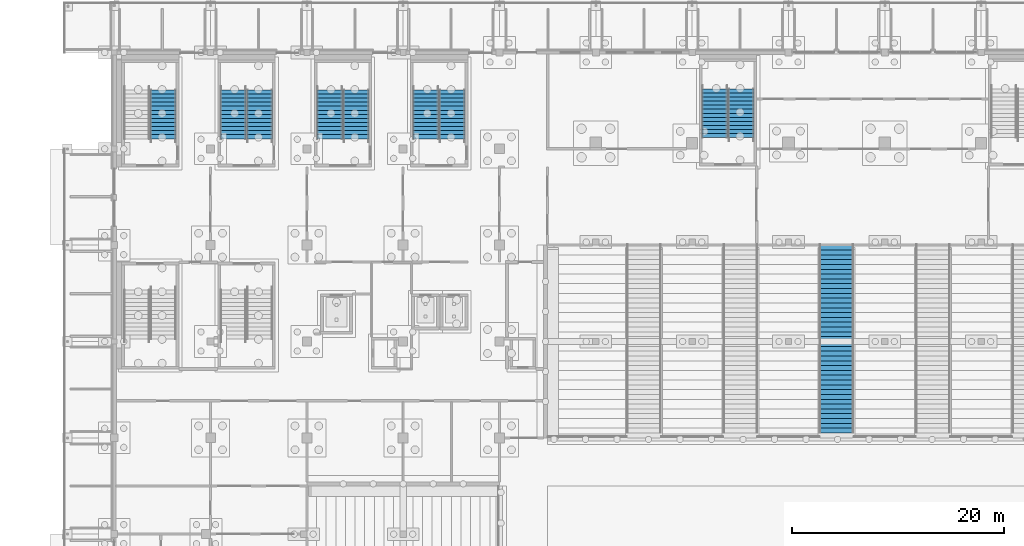
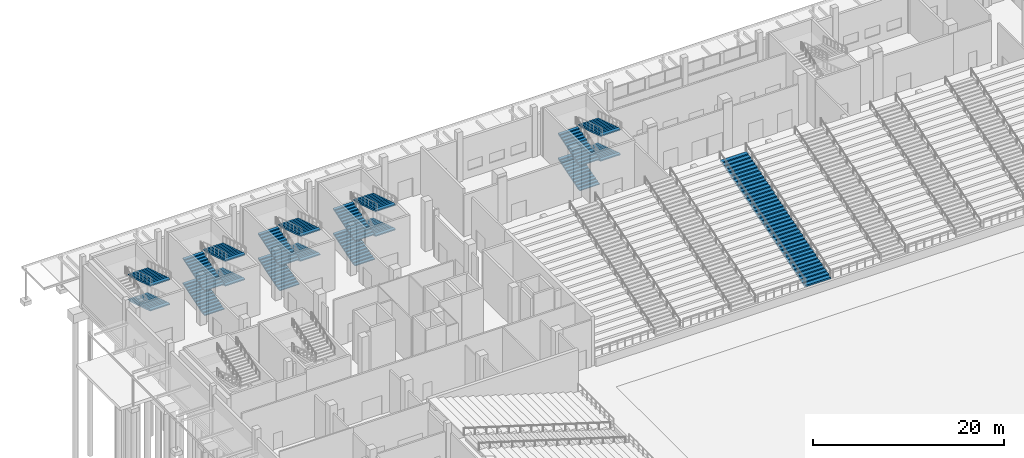
# One storey, part 91 of 129: 19 stair flights, 6 elements without a shape of their own.
"""IFC4 building model written with IfcOpenShell, lengths in metres."""

from ifc_helpers import new_model, si_unit, direction, frame, origin, place, context, subcontext, project, spatial, polyline, outline, extrude, material, type_object, element, aggregate, save


model = new_model("IFC4")

# Units and contexts
model_context = context("Model", 3, precision=1e-05, world=origin(), true_north=direction((0.0, 1.0)))
body_context = subcontext(model_context, "Body", "Model", "MODEL_VIEW")
ifc_project = project(units=[si_unit("LENGTHUNIT", "METRE"), si_unit("AREAUNIT", "SQUARE_METRE"), si_unit("VOLUMEUNIT", "CUBIC_METRE"), si_unit("PLANEANGLEUNIT", "RADIAN"), si_unit("MASSUNIT", "GRAM", prefix="KILO")], contexts=[model_context])

# Site, building, storey
site_placement = place(None, origin())
site = spatial("IfcSite", under=ifc_project, at=site_placement, CompositionType="ELEMENT")
building_placement = place(site_placement, origin())
building = spatial("IfcBuilding", under=site, at=building_placement, Name="Shirokan Park Arena", CompositionType="ELEMENT")
storey_placement = place(building_placement, origin())
storey = spatial("IfcBuildingStorey", under=building, at=storey_placement, Name="L00", CompositionType="ELEMENT", Elevation=0.0)

# Stair, stair flights
ifc_material = material(Name="Concrete C30 precast", Category="concrete")
stair_type_1 = type_object("IfcStairType", Name="Stair 52 risers 122 x 385 2400 wide", PredefinedType="DOUBLE_RETURN_STAIR", material=ifc_material)
stair_1_placement = place(storey_placement, origin())
stair_1 = element("IfcStair", 1, at=stair_1_placement, inside=storey, type_object=stair_type_1, Name="Exit Stair 4.A L00 to L01", PredefinedType="DOUBLE_RETURN_STAIR")
stair_flight_type_1 = type_object("IfcStairFlightType", Name="Stair flight 13 risers 122 x 385 2400 wide", PredefinedType="STRAIGHT", material=ifc_material)
stair_flight_1_placement = place(storey_placement, frame((4.64990234375, 105.669921875, 1.592529296875), z_axis=(0.0, 0.0, 1.0), x_axis=(0.0, -1.0, 0.0)))
stair_flight_1 = element("IfcStairFlight", 2, at=stair_flight_1_placement, type_object=stair_flight_type_1, Name="ST10.1 flight 2", NumberOfRisers=13, NumberOfTreads=12, PredefinedType="STRAIGHT", RiserHeight=0.1225, TreadLength=0.385, context=body_context, shape_type="SweptSolid", body=[
    extrude(outline(polyline([(0.0, 0.0), (0.0, 0.12255859375), (0.385009765625, 0.12255859375), (0.385009765625, 0.2451171875), (0.77001953125, 0.2451171875), (0.77001953125, 0.367431640625), (1.155029296875, 0.367431640625), (1.155029296875, 0.489990234375), (1.5400390625, 0.489990234375), (1.5400390625, 0.612548828125), (1.925048828125, 0.612548828125), (1.925048828125, 0.735107421875), (2.31005859375, 0.735107421875), (2.31005859375, 0.857421875), (2.695068359375, 0.857421875), (2.695068359375, 0.97998046875), (3.080078125, 0.97998046875), (3.080078125, 1.1025390625), (3.465087890625, 1.1025390625), (3.465087890625, 1.22509765625), (3.85009765625, 1.22509765625), (3.85009765625, 1.347412109375), (4.235107421875, 1.347412109375), (4.235107421875, 1.469970703125), (4.6201171875, 1.469970703125), (4.6201171875, 1.592529296875), (4.6201171875, 1.312744140625), (0.494384765625, 0.0), (0.0, 0.0)])), frame((0.0, 1.199951171875, 0.0), z_axis=(0.0, -1.0, 0.0), x_axis=(1.0, 0.0, 0.0)), (0.0, 0.0, 1.0), 2.39990234375),
])
stair_flight_2_placement = place(storey_placement, frame((4.64990234375, 105.669921875, 4.777587890625), z_axis=(0.0, 0.0, 1.0), x_axis=(0.0, -1.0, 0.0)))
stair_flight_2 = element("IfcStairFlight", 3, at=stair_flight_2_placement, type_object=stair_flight_type_1, Name="ST10.1 flight 4", NumberOfRisers=13, NumberOfTreads=12, PredefinedType="STRAIGHT", RiserHeight=0.1225, TreadLength=0.385, context=body_context, shape_type="SweptSolid", body=[
    extrude(outline(polyline([(0.0, 0.0), (0.0, 0.12255859375), (0.385009765625, 0.12255859375), (0.385009765625, 0.2451171875), (0.77001953125, 0.2451171875), (0.77001953125, 0.367431640625), (1.155029296875, 0.367431640625), (1.155029296875, 0.489990234375), (1.5400390625, 0.489990234375), (1.5400390625, 0.612548828125), (1.925048828125, 0.612548828125), (1.925048828125, 0.735107421875), (2.31005859375, 0.735107421875), (2.31005859375, 0.857421875), (2.695068359375, 0.857421875), (2.695068359375, 0.97998046875), (3.080078125, 0.97998046875), (3.080078125, 1.1025390625), (3.465087890625, 1.1025390625), (3.465087890625, 1.22509765625), (3.85009765625, 1.22509765625), (3.85009765625, 1.347412109375), (4.235107421875, 1.347412109375), (4.235107421875, 1.469970703125), (4.6201171875, 1.469970703125), (4.6201171875, 1.592529296875), (4.6201171875, 1.312744140625), (0.494384765625, 0.0), (0.0, 0.0)])), frame((0.0, 1.199951171875, 0.0), z_axis=(0.0, -1.0, 0.0), x_axis=(1.0, 0.0, 0.0)), (0.0, 0.0, 1.0), 2.39990234375),
])
aggregate(stair_1, [stair_flight_1, stair_flight_2])

stair_2_placement = place(storey_placement, origin())
stair_2 = element("IfcStair", 4, at=stair_2_placement, inside=storey, type_object=stair_type_1, Name="Exit Stair 4.B L00 to L01", PredefinedType="DOUBLE_RETURN_STAIR")
stair_flight_3_placement = place(storey_placement, frame((11.25, 101.050048828125, 0.0), z_axis=(0.0, 0.0, 1.0), x_axis=(0.0, 1.0, 0.0)))
stair_flight_3 = element("IfcStairFlight", 5, at=stair_flight_3_placement, type_object=stair_flight_type_1, Name="ST11.1 flight 1", NumberOfRisers=13, NumberOfTreads=12, PredefinedType="STRAIGHT", RiserHeight=0.1225, TreadLength=0.385, context=body_context, shape_type="SweptSolid", body=[
    extrude(outline(polyline([(0.0, 0.0), (0.0, 0.12255859375), (0.385009765625, 0.12255859375), (0.385009765625, 0.2451171875), (0.77001953125, 0.2451171875), (0.77001953125, 0.367431640625), (1.155029296875, 0.367431640625), (1.155029296875, 0.489990234375), (1.5400390625, 0.489990234375), (1.5400390625, 0.612548828125), (1.925048828125, 0.612548828125), (1.925048828125, 0.735107421875), (2.31005859375, 0.735107421875), (2.31005859375, 0.857421875), (2.695068359375, 0.857421875), (2.695068359375, 0.97998046875), (3.080078125, 0.97998046875), (3.080078125, 1.1025390625), (3.465087890625, 1.1025390625), (3.465087890625, 1.22509765625), (3.85009765625, 1.22509765625), (3.85009765625, 1.347412109375), (4.235107421875, 1.347412109375), (4.235107421875, 1.469970703125), (4.6201171875, 1.469970703125), (4.6201171875, 1.592529296875), (4.6201171875, 1.312744140625), (0.494384765625, 0.0), (0.0, 0.0)])), frame((0.0, 1.199951171875, 0.0), z_axis=(0.0, -1.0, 0.0), x_axis=(1.0, 0.0, 0.0)), (0.0, 0.0, 1.0), 2.39990234375),
])
stair_flight_4_placement = place(storey_placement, frame((13.75, 105.669921875, 1.592529296875), z_axis=(0.0, 0.0, 1.0), x_axis=(0.0, -1.0, 0.0)))
stair_flight_4 = element("IfcStairFlight", 6, at=stair_flight_4_placement, type_object=stair_flight_type_1, Name="ST11.1 flight 2", NumberOfRisers=13, NumberOfTreads=12, PredefinedType="STRAIGHT", RiserHeight=0.1225, TreadLength=0.385, context=body_context, shape_type="SweptSolid", body=[
    extrude(outline(polyline([(0.0, 0.0), (0.0, 0.12255859375), (0.385009765625, 0.12255859375), (0.385009765625, 0.2451171875), (0.77001953125, 0.2451171875), (0.77001953125, 0.367431640625), (1.155029296875, 0.367431640625), (1.155029296875, 0.489990234375), (1.5400390625, 0.489990234375), (1.5400390625, 0.612548828125), (1.925048828125, 0.612548828125), (1.925048828125, 0.735107421875), (2.31005859375, 0.735107421875), (2.31005859375, 0.857421875), (2.695068359375, 0.857421875), (2.695068359375, 0.97998046875), (3.080078125, 0.97998046875), (3.080078125, 1.1025390625), (3.465087890625, 1.1025390625), (3.465087890625, 1.22509765625), (3.85009765625, 1.22509765625), (3.85009765625, 1.347412109375), (4.235107421875, 1.347412109375), (4.235107421875, 1.469970703125), (4.6201171875, 1.469970703125), (4.6201171875, 1.592529296875), (4.6201171875, 1.312744140625), (0.494384765625, 0.0), (0.0, 0.0)])), frame((0.0, 1.199951171875, 0.0), z_axis=(0.0, -1.0, 0.0), x_axis=(1.0, 0.0, 0.0)), (0.0, 0.0, 1.0), 2.39990234375),
])
stair_flight_5_placement = place(storey_placement, frame((11.25, 101.050048828125, 3.18505859375), z_axis=(0.0, 0.0, 1.0), x_axis=(0.0, 1.0, 0.0)))
stair_flight_5 = element("IfcStairFlight", 7, at=stair_flight_5_placement, type_object=stair_flight_type_1, Name="ST11.1 flight 3", NumberOfRisers=13, NumberOfTreads=12, PredefinedType="STRAIGHT", RiserHeight=0.1225, TreadLength=0.385, context=body_context, shape_type="SweptSolid", body=[
    extrude(outline(polyline([(0.0, 0.0), (0.0, 0.12255859375), (0.385009765625, 0.12255859375), (0.385009765625, 0.2451171875), (0.77001953125, 0.2451171875), (0.77001953125, 0.367431640625), (1.155029296875, 0.367431640625), (1.155029296875, 0.489990234375), (1.5400390625, 0.489990234375), (1.5400390625, 0.612548828125), (1.925048828125, 0.612548828125), (1.925048828125, 0.735107421875), (2.31005859375, 0.735107421875), (2.31005859375, 0.857421875), (2.695068359375, 0.857421875), (2.695068359375, 0.97998046875), (3.080078125, 0.97998046875), (3.080078125, 1.1025390625), (3.465087890625, 1.1025390625), (3.465087890625, 1.22509765625), (3.85009765625, 1.22509765625), (3.85009765625, 1.347412109375), (4.235107421875, 1.347412109375), (4.235107421875, 1.469970703125), (4.6201171875, 1.469970703125), (4.6201171875, 1.592529296875), (4.6201171875, 1.312744140625), (0.494384765625, 0.0), (0.0, 0.0)])), frame((0.0, 1.199951171875, 0.0), z_axis=(0.0, -1.0, 0.0), x_axis=(1.0, 0.0, 0.0)), (0.0, 0.0, 1.0), 2.39990234375),
])
stair_flight_6_placement = place(storey_placement, frame((13.75, 105.669921875, 4.777587890625), z_axis=(0.0, 0.0, 1.0), x_axis=(0.0, -1.0, 0.0)))
stair_flight_6 = element("IfcStairFlight", 8, at=stair_flight_6_placement, type_object=stair_flight_type_1, Name="ST11.1 flight 4", NumberOfRisers=13, NumberOfTreads=12, PredefinedType="STRAIGHT", RiserHeight=0.1225, TreadLength=0.385, context=body_context, shape_type="SweptSolid", body=[
    extrude(outline(polyline([(0.0, 0.0), (0.0, 0.12255859375), (0.385009765625, 0.12255859375), (0.385009765625, 0.2451171875), (0.77001953125, 0.2451171875), (0.77001953125, 0.367431640625), (1.155029296875, 0.367431640625), (1.155029296875, 0.489990234375), (1.5400390625, 0.489990234375), (1.5400390625, 0.612548828125), (1.925048828125, 0.612548828125), (1.925048828125, 0.735107421875), (2.31005859375, 0.735107421875), (2.31005859375, 0.857421875), (2.695068359375, 0.857421875), (2.695068359375, 0.97998046875), (3.080078125, 0.97998046875), (3.080078125, 1.1025390625), (3.465087890625, 1.1025390625), (3.465087890625, 1.22509765625), (3.85009765625, 1.22509765625), (3.85009765625, 1.347412109375), (4.235107421875, 1.347412109375), (4.235107421875, 1.469970703125), (4.6201171875, 1.469970703125), (4.6201171875, 1.592529296875), (4.6201171875, 1.312744140625), (0.494384765625, 0.0), (0.0, 0.0)])), frame((0.0, 1.199951171875, 0.0), z_axis=(0.0, -1.0, 0.0), x_axis=(1.0, 0.0, 0.0)), (0.0, 0.0, 1.0), 2.39990234375),
])
aggregate(stair_2, [stair_flight_3, stair_flight_4, stair_flight_5, stair_flight_6])

stair_3_placement = place(storey_placement, origin())
stair_3 = element("IfcStair", 9, at=stair_3_placement, inside=storey, type_object=stair_type_1, Name="Exit Stair 4.C L00 to L01", PredefinedType="DOUBLE_RETURN_STAIR")
stair_flight_7_placement = place(storey_placement, frame((20.35009765625, 101.050048828125, 0.0), z_axis=(0.0, 0.0, 1.0), x_axis=(0.0, 1.0, 0.0)))
stair_flight_7 = element("IfcStairFlight", 10, at=stair_flight_7_placement, type_object=stair_flight_type_1, Name="ST12.1 flight 1", NumberOfRisers=13, NumberOfTreads=12, PredefinedType="STRAIGHT", RiserHeight=0.1225, TreadLength=0.385, context=body_context, shape_type="SweptSolid", body=[
    extrude(outline(polyline([(0.0, 0.0), (0.0, 0.12255859375), (0.385009765625, 0.12255859375), (0.385009765625, 0.2451171875), (0.77001953125, 0.2451171875), (0.77001953125, 0.367431640625), (1.155029296875, 0.367431640625), (1.155029296875, 0.489990234375), (1.5400390625, 0.489990234375), (1.5400390625, 0.612548828125), (1.925048828125, 0.612548828125), (1.925048828125, 0.735107421875), (2.31005859375, 0.735107421875), (2.31005859375, 0.857421875), (2.695068359375, 0.857421875), (2.695068359375, 0.97998046875), (3.080078125, 0.97998046875), (3.080078125, 1.1025390625), (3.465087890625, 1.1025390625), (3.465087890625, 1.22509765625), (3.85009765625, 1.22509765625), (3.85009765625, 1.347412109375), (4.235107421875, 1.347412109375), (4.235107421875, 1.469970703125), (4.6201171875, 1.469970703125), (4.6201171875, 1.592529296875), (4.6201171875, 1.312744140625), (0.494384765625, 0.0), (0.0, 0.0)])), frame((0.0, 1.199951171875, 0.0), z_axis=(0.0, -1.0, 0.0), x_axis=(1.0, 0.0, 0.0)), (0.0, 0.0, 1.0), 2.39990234375),
])
stair_flight_8_placement = place(storey_placement, frame((22.85009765625, 105.669921875, 1.592529296875), z_axis=(0.0, 0.0, 1.0), x_axis=(0.0, -1.0, 0.0)))
stair_flight_8 = element("IfcStairFlight", 11, at=stair_flight_8_placement, type_object=stair_flight_type_1, Name="ST12.1 flight 2", NumberOfRisers=13, NumberOfTreads=12, PredefinedType="STRAIGHT", RiserHeight=0.1225, TreadLength=0.385, context=body_context, shape_type="SweptSolid", body=[
    extrude(outline(polyline([(0.0, 0.0), (0.0, 0.12255859375), (0.385009765625, 0.12255859375), (0.385009765625, 0.2451171875), (0.77001953125, 0.2451171875), (0.77001953125, 0.367431640625), (1.155029296875, 0.367431640625), (1.155029296875, 0.489990234375), (1.5400390625, 0.489990234375), (1.5400390625, 0.612548828125), (1.925048828125, 0.612548828125), (1.925048828125, 0.735107421875), (2.31005859375, 0.735107421875), (2.31005859375, 0.857421875), (2.695068359375, 0.857421875), (2.695068359375, 0.97998046875), (3.080078125, 0.97998046875), (3.080078125, 1.1025390625), (3.465087890625, 1.1025390625), (3.465087890625, 1.22509765625), (3.85009765625, 1.22509765625), (3.85009765625, 1.347412109375), (4.235107421875, 1.347412109375), (4.235107421875, 1.469970703125), (4.6201171875, 1.469970703125), (4.6201171875, 1.592529296875), (4.6201171875, 1.312744140625), (0.494384765625, 0.0), (0.0, 0.0)])), frame((0.0, 1.199951171875, 0.0), z_axis=(0.0, -1.0, 0.0), x_axis=(1.0, 0.0, 0.0)), (0.0, 0.0, 1.0), 2.39990234375),
])
stair_flight_9_placement = place(storey_placement, frame((20.35009765625, 101.050048828125, 3.18505859375), z_axis=(0.0, 0.0, 1.0), x_axis=(0.0, 1.0, 0.0)))
stair_flight_9 = element("IfcStairFlight", 12, at=stair_flight_9_placement, type_object=stair_flight_type_1, Name="ST12.1 flight 3", NumberOfRisers=13, NumberOfTreads=12, PredefinedType="STRAIGHT", RiserHeight=0.1225, TreadLength=0.385, context=body_context, shape_type="SweptSolid", body=[
    extrude(outline(polyline([(0.0, 0.0), (0.0, 0.12255859375), (0.385009765625, 0.12255859375), (0.385009765625, 0.2451171875), (0.77001953125, 0.2451171875), (0.77001953125, 0.367431640625), (1.155029296875, 0.367431640625), (1.155029296875, 0.489990234375), (1.5400390625, 0.489990234375), (1.5400390625, 0.612548828125), (1.925048828125, 0.612548828125), (1.925048828125, 0.735107421875), (2.31005859375, 0.735107421875), (2.31005859375, 0.857421875), (2.695068359375, 0.857421875), (2.695068359375, 0.97998046875), (3.080078125, 0.97998046875), (3.080078125, 1.1025390625), (3.465087890625, 1.1025390625), (3.465087890625, 1.22509765625), (3.85009765625, 1.22509765625), (3.85009765625, 1.347412109375), (4.235107421875, 1.347412109375), (4.235107421875, 1.469970703125), (4.6201171875, 1.469970703125), (4.6201171875, 1.592529296875), (4.6201171875, 1.312744140625), (0.494384765625, 0.0), (0.0, 0.0)])), frame((0.0, 1.199951171875, 0.0), z_axis=(0.0, -1.0, 0.0), x_axis=(1.0, 0.0, 0.0)), (0.0, 0.0, 1.0), 2.39990234375),
])
stair_flight_10_placement = place(storey_placement, frame((22.85009765625, 105.669921875, 4.777587890625), z_axis=(0.0, 0.0, 1.0), x_axis=(0.0, -1.0, 0.0)))
stair_flight_10 = element("IfcStairFlight", 13, at=stair_flight_10_placement, type_object=stair_flight_type_1, Name="ST12.1 flight 4", NumberOfRisers=13, NumberOfTreads=12, PredefinedType="STRAIGHT", RiserHeight=0.1225, TreadLength=0.385, context=body_context, shape_type="SweptSolid", body=[
    extrude(outline(polyline([(0.0, 0.0), (0.0, 0.12255859375), (0.385009765625, 0.12255859375), (0.385009765625, 0.2451171875), (0.77001953125, 0.2451171875), (0.77001953125, 0.367431640625), (1.155029296875, 0.367431640625), (1.155029296875, 0.489990234375), (1.5400390625, 0.489990234375), (1.5400390625, 0.612548828125), (1.925048828125, 0.612548828125), (1.925048828125, 0.735107421875), (2.31005859375, 0.735107421875), (2.31005859375, 0.857421875), (2.695068359375, 0.857421875), (2.695068359375, 0.97998046875), (3.080078125, 0.97998046875), (3.080078125, 1.1025390625), (3.465087890625, 1.1025390625), (3.465087890625, 1.22509765625), (3.85009765625, 1.22509765625), (3.85009765625, 1.347412109375), (4.235107421875, 1.347412109375), (4.235107421875, 1.469970703125), (4.6201171875, 1.469970703125), (4.6201171875, 1.592529296875), (4.6201171875, 1.312744140625), (0.494384765625, 0.0), (0.0, 0.0)])), frame((0.0, 1.199951171875, 0.0), z_axis=(0.0, -1.0, 0.0), x_axis=(1.0, 0.0, 0.0)), (0.0, 0.0, 1.0), 2.39990234375),
])
aggregate(stair_3, [stair_flight_7, stair_flight_8, stair_flight_9, stair_flight_10])

stair_4_placement = place(storey_placement, origin())
stair_4 = element("IfcStair", 14, at=stair_4_placement, inside=storey, type_object=stair_type_1, Name="Exit Stair 4.D L00 to L01", PredefinedType="DOUBLE_RETURN_STAIR")
stair_flight_11_placement = place(storey_placement, frame((29.449951171875, 101.050048828125, 0.0), z_axis=(0.0, 0.0, 1.0), x_axis=(0.0, 1.0, 0.0)))
stair_flight_11 = element("IfcStairFlight", 15, at=stair_flight_11_placement, type_object=stair_flight_type_1, Name="ST13.1 flight 1", NumberOfRisers=13, NumberOfTreads=12, PredefinedType="STRAIGHT", RiserHeight=0.1225, TreadLength=0.385, context=body_context, shape_type="SweptSolid", body=[
    extrude(outline(polyline([(0.0, 0.0), (0.0, 0.12255859375), (0.385009765625, 0.12255859375), (0.385009765625, 0.2451171875), (0.77001953125, 0.2451171875), (0.77001953125, 0.367431640625), (1.155029296875, 0.367431640625), (1.155029296875, 0.489990234375), (1.5400390625, 0.489990234375), (1.5400390625, 0.612548828125), (1.925048828125, 0.612548828125), (1.925048828125, 0.735107421875), (2.31005859375, 0.735107421875), (2.31005859375, 0.857421875), (2.695068359375, 0.857421875), (2.695068359375, 0.97998046875), (3.080078125, 0.97998046875), (3.080078125, 1.1025390625), (3.465087890625, 1.1025390625), (3.465087890625, 1.22509765625), (3.85009765625, 1.22509765625), (3.85009765625, 1.347412109375), (4.235107421875, 1.347412109375), (4.235107421875, 1.469970703125), (4.6201171875, 1.469970703125), (4.6201171875, 1.592529296875), (4.6201171875, 1.312744140625), (0.494384765625, 0.0), (0.0, 0.0)])), frame((0.0, 1.199951171875, 0.0), z_axis=(0.0, -1.0, 0.0), x_axis=(1.0, 0.0, 0.0)), (0.0, 0.0, 1.0), 2.39990234375),
])
stair_flight_12_placement = place(storey_placement, frame((31.949951171875, 105.669921875, 1.592529296875), z_axis=(0.0, 0.0, 1.0), x_axis=(0.0, -1.0, 0.0)))
stair_flight_12 = element("IfcStairFlight", 16, at=stair_flight_12_placement, type_object=stair_flight_type_1, Name="ST13.1 flight 2", NumberOfRisers=13, NumberOfTreads=12, PredefinedType="STRAIGHT", RiserHeight=0.1225, TreadLength=0.385, context=body_context, shape_type="SweptSolid", body=[
    extrude(outline(polyline([(0.0, 0.0), (0.0, 0.12255859375), (0.385009765625, 0.12255859375), (0.385009765625, 0.2451171875), (0.77001953125, 0.2451171875), (0.77001953125, 0.367431640625), (1.155029296875, 0.367431640625), (1.155029296875, 0.489990234375), (1.5400390625, 0.489990234375), (1.5400390625, 0.612548828125), (1.925048828125, 0.612548828125), (1.925048828125, 0.735107421875), (2.31005859375, 0.735107421875), (2.31005859375, 0.857421875), (2.695068359375, 0.857421875), (2.695068359375, 0.97998046875), (3.080078125, 0.97998046875), (3.080078125, 1.1025390625), (3.465087890625, 1.1025390625), (3.465087890625, 1.22509765625), (3.85009765625, 1.22509765625), (3.85009765625, 1.347412109375), (4.235107421875, 1.347412109375), (4.235107421875, 1.469970703125), (4.6201171875, 1.469970703125), (4.6201171875, 1.592529296875), (4.6201171875, 1.312744140625), (0.494384765625, 0.0), (0.0, 0.0)])), frame((0.0, 1.199951171875, 0.0), z_axis=(0.0, -1.0, 0.0), x_axis=(1.0, 0.0, 0.0)), (0.0, 0.0, 1.0), 2.39990234375),
])
stair_flight_13_placement = place(storey_placement, frame((29.449951171875, 101.050048828125, 3.18505859375), z_axis=(0.0, 0.0, 1.0), x_axis=(0.0, 1.0, 0.0)))
stair_flight_13 = element("IfcStairFlight", 17, at=stair_flight_13_placement, type_object=stair_flight_type_1, Name="ST13.1 flight 3", NumberOfRisers=13, NumberOfTreads=12, PredefinedType="STRAIGHT", RiserHeight=0.1225, TreadLength=0.385, context=body_context, shape_type="SweptSolid", body=[
    extrude(outline(polyline([(0.0, 0.0), (0.0, 0.12255859375), (0.385009765625, 0.12255859375), (0.385009765625, 0.2451171875), (0.77001953125, 0.2451171875), (0.77001953125, 0.367431640625), (1.155029296875, 0.367431640625), (1.155029296875, 0.489990234375), (1.5400390625, 0.489990234375), (1.5400390625, 0.612548828125), (1.925048828125, 0.612548828125), (1.925048828125, 0.735107421875), (2.31005859375, 0.735107421875), (2.31005859375, 0.857421875), (2.695068359375, 0.857421875), (2.695068359375, 0.97998046875), (3.080078125, 0.97998046875), (3.080078125, 1.1025390625), (3.465087890625, 1.1025390625), (3.465087890625, 1.22509765625), (3.85009765625, 1.22509765625), (3.85009765625, 1.347412109375), (4.235107421875, 1.347412109375), (4.235107421875, 1.469970703125), (4.6201171875, 1.469970703125), (4.6201171875, 1.592529296875), (4.6201171875, 1.312744140625), (0.494384765625, 0.0), (0.0, 0.0)])), frame((0.0, 1.199951171875, 0.0), z_axis=(0.0, -1.0, 0.0), x_axis=(1.0, 0.0, 0.0)), (0.0, 0.0, 1.0), 2.39990234375),
])
stair_flight_14_placement = place(storey_placement, frame((31.949951171875, 105.669921875, 4.777587890625), z_axis=(0.0, 0.0, 1.0), x_axis=(0.0, -1.0, 0.0)))
stair_flight_14 = element("IfcStairFlight", 18, at=stair_flight_14_placement, type_object=stair_flight_type_1, Name="ST13.1 flight 4", NumberOfRisers=13, NumberOfTreads=12, PredefinedType="STRAIGHT", RiserHeight=0.1225, TreadLength=0.385, context=body_context, shape_type="SweptSolid", body=[
    extrude(outline(polyline([(0.0, 0.0), (0.0, 0.12255859375), (0.385009765625, 0.12255859375), (0.385009765625, 0.2451171875), (0.77001953125, 0.2451171875), (0.77001953125, 0.367431640625), (1.155029296875, 0.367431640625), (1.155029296875, 0.489990234375), (1.5400390625, 0.489990234375), (1.5400390625, 0.612548828125), (1.925048828125, 0.612548828125), (1.925048828125, 0.735107421875), (2.31005859375, 0.735107421875), (2.31005859375, 0.857421875), (2.695068359375, 0.857421875), (2.695068359375, 0.97998046875), (3.080078125, 0.97998046875), (3.080078125, 1.1025390625), (3.465087890625, 1.1025390625), (3.465087890625, 1.22509765625), (3.85009765625, 1.22509765625), (3.85009765625, 1.347412109375), (4.235107421875, 1.347412109375), (4.235107421875, 1.469970703125), (4.6201171875, 1.469970703125), (4.6201171875, 1.592529296875), (4.6201171875, 1.312744140625), (0.494384765625, 0.0), (0.0, 0.0)])), frame((0.0, 1.199951171875, 0.0), z_axis=(0.0, -1.0, 0.0), x_axis=(1.0, 0.0, 0.0)), (0.0, 0.0, 1.0), 2.39990234375),
])
aggregate(stair_4, [stair_flight_11, stair_flight_12, stair_flight_13, stair_flight_14])

stair_5_placement = place(storey_placement, origin())
stair_5 = element("IfcStair", 19, at=stair_5_placement, inside=storey, type_object=stair_type_1, Name="Entrance Stair E4.1 L00 to L01", PredefinedType="DOUBLE_RETURN_STAIR")
stair_flight_15_placement = place(storey_placement, frame((56.75, 101.14990234375, 0.0), z_axis=(0.0, 0.0, 1.0), x_axis=(0.0, 1.0, 0.0)))
stair_flight_15 = element("IfcStairFlight", 20, at=stair_flight_15_placement, type_object=stair_flight_type_1, Name="ST22.1 flight 1", NumberOfRisers=13, NumberOfTreads=12, PredefinedType="STRAIGHT", RiserHeight=0.1225, TreadLength=0.385, context=body_context, shape_type="SweptSolid", body=[
    extrude(outline(polyline([(0.0, 0.0), (0.0, 0.12255859375), (0.385009765625, 0.12255859375), (0.385009765625, 0.2451171875), (0.77001953125, 0.2451171875), (0.77001953125, 0.367431640625), (1.155029296875, 0.367431640625), (1.155029296875, 0.489990234375), (1.5400390625, 0.489990234375), (1.5400390625, 0.612548828125), (1.925048828125, 0.612548828125), (1.925048828125, 0.735107421875), (2.31005859375, 0.735107421875), (2.31005859375, 0.857421875), (2.695068359375, 0.857421875), (2.695068359375, 0.97998046875), (3.080078125, 0.97998046875), (3.080078125, 1.1025390625), (3.465087890625, 1.1025390625), (3.465087890625, 1.22509765625), (3.85009765625, 1.22509765625), (3.85009765625, 1.347412109375), (4.235107421875, 1.347412109375), (4.235107421875, 1.469970703125), (4.6201171875, 1.469970703125), (4.6201171875, 1.592529296875), (4.6201171875, 1.312744140625), (0.494384765625, 0.0), (0.0, 0.0)])), frame((0.0, 1.199951171875, 0.0), z_axis=(0.0, -1.0, 0.0), x_axis=(1.0, 0.0, 0.0)), (0.0, 0.0, 1.0), 2.39990234375),
])
stair_flight_16_placement = place(storey_placement, frame((59.25, 105.77001953125, 1.592529296875), z_axis=(0.0, 0.0, 1.0), x_axis=(0.0, -1.0, 0.0)))
stair_flight_16 = element("IfcStairFlight", 21, at=stair_flight_16_placement, type_object=stair_flight_type_1, Name="ST22.1 flight 2", NumberOfRisers=13, NumberOfTreads=12, PredefinedType="STRAIGHT", RiserHeight=0.1225, TreadLength=0.385, context=body_context, shape_type="SweptSolid", body=[
    extrude(outline(polyline([(0.0, 0.0), (0.0, 0.12255859375), (0.385009765625, 0.12255859375), (0.385009765625, 0.2451171875), (0.77001953125, 0.2451171875), (0.77001953125, 0.367431640625), (1.155029296875, 0.367431640625), (1.155029296875, 0.489990234375), (1.5400390625, 0.489990234375), (1.5400390625, 0.612548828125), (1.925048828125, 0.612548828125), (1.925048828125, 0.735107421875), (2.31005859375, 0.735107421875), (2.31005859375, 0.857421875), (2.695068359375, 0.857421875), (2.695068359375, 0.97998046875), (3.080078125, 0.97998046875), (3.080078125, 1.1025390625), (3.465087890625, 1.1025390625), (3.465087890625, 1.22509765625), (3.85009765625, 1.22509765625), (3.85009765625, 1.347412109375), (4.235107421875, 1.347412109375), (4.235107421875, 1.469970703125), (4.6201171875, 1.469970703125), (4.6201171875, 1.592529296875), (4.6201171875, 1.312744140625), (0.494384765625, 0.0), (0.0, 0.0)])), frame((0.0, 1.199951171875, 0.0), z_axis=(0.0, -1.0, 0.0), x_axis=(1.0, 0.0, 0.0)), (0.0, 0.0, 1.0), 2.39990234375),
])
stair_flight_17_placement = place(storey_placement, frame((56.75, 101.14990234375, 3.18505859375), z_axis=(0.0, 0.0, 1.0), x_axis=(0.0, 1.0, 0.0)))
stair_flight_17 = element("IfcStairFlight", 22, at=stair_flight_17_placement, type_object=stair_flight_type_1, Name="ST22.1 flight 3", NumberOfRisers=13, NumberOfTreads=12, PredefinedType="STRAIGHT", RiserHeight=0.1225, TreadLength=0.385, context=body_context, shape_type="SweptSolid", body=[
    extrude(outline(polyline([(0.0, 0.0), (0.0, 0.12255859375), (0.385009765625, 0.12255859375), (0.385009765625, 0.2451171875), (0.77001953125, 0.2451171875), (0.77001953125, 0.367431640625), (1.155029296875, 0.367431640625), (1.155029296875, 0.489990234375), (1.5400390625, 0.489990234375), (1.5400390625, 0.612548828125), (1.925048828125, 0.612548828125), (1.925048828125, 0.735107421875), (2.31005859375, 0.735107421875), (2.31005859375, 0.857421875), (2.695068359375, 0.857421875), (2.695068359375, 0.97998046875), (3.080078125, 0.97998046875), (3.080078125, 1.1025390625), (3.465087890625, 1.1025390625), (3.465087890625, 1.22509765625), (3.85009765625, 1.22509765625), (3.85009765625, 1.347412109375), (4.235107421875, 1.347412109375), (4.235107421875, 1.469970703125), (4.6201171875, 1.469970703125), (4.6201171875, 1.592529296875), (4.6201171875, 1.312744140625), (0.494384765625, 0.0), (0.0, 0.0)])), frame((0.0, 1.199951171875, 0.0), z_axis=(0.0, -1.0, 0.0), x_axis=(1.0, 0.0, 0.0)), (0.0, 0.0, 1.0), 2.39990234375),
])
stair_flight_18_placement = place(storey_placement, frame((59.25, 105.77001953125, 4.777587890625), z_axis=(0.0, 0.0, 1.0), x_axis=(0.0, -1.0, 0.0)))
stair_flight_18 = element("IfcStairFlight", 23, at=stair_flight_18_placement, type_object=stair_flight_type_1, Name="ST22.1 flight 4", NumberOfRisers=13, NumberOfTreads=12, PredefinedType="STRAIGHT", RiserHeight=0.1225, TreadLength=0.385, context=body_context, shape_type="SweptSolid", body=[
    extrude(outline(polyline([(0.0, 0.0), (0.0, 0.12255859375), (0.385009765625, 0.12255859375), (0.385009765625, 0.2451171875), (0.77001953125, 0.2451171875), (0.77001953125, 0.367431640625), (1.155029296875, 0.367431640625), (1.155029296875, 0.489990234375), (1.5400390625, 0.489990234375), (1.5400390625, 0.612548828125), (1.925048828125, 0.612548828125), (1.925048828125, 0.735107421875), (2.31005859375, 0.735107421875), (2.31005859375, 0.857421875), (2.695068359375, 0.857421875), (2.695068359375, 0.97998046875), (3.080078125, 0.97998046875), (3.080078125, 1.1025390625), (3.465087890625, 1.1025390625), (3.465087890625, 1.22509765625), (3.85009765625, 1.22509765625), (3.85009765625, 1.347412109375), (4.235107421875, 1.347412109375), (4.235107421875, 1.469970703125), (4.6201171875, 1.469970703125), (4.6201171875, 1.592529296875), (4.6201171875, 1.312744140625), (0.494384765625, 0.0), (0.0, 0.0)])), frame((0.0, 1.199951171875, 0.0), z_axis=(0.0, -1.0, 0.0), x_axis=(1.0, 0.0, 0.0)), (0.0, 0.0, 1.0), 2.39990234375),
])
aggregate(stair_5, [stair_flight_15, stair_flight_16, stair_flight_17, stair_flight_18])

# Stair, stair flight
stair_type_2 = type_object("IfcStairType", Name="Stair 40 risers 140 x 455 3200 wide", PredefinedType="STRAIGHT_RUN_STAIR", material=ifc_material)
stair_6_placement = place(storey_placement, origin())
stair_6 = element("IfcStair", 24, at=stair_6_placement, inside=storey, type_object=stair_type_2, Name="Vomitory stair N3 lower", PredefinedType="STRAIGHT_RUN_STAIR")
stair_flight_type_2 = type_object("IfcStairFlightType", Name="Stair flight 40 risers 140 x 455 3200 wide", PredefinedType="STRAIGHT", material=ifc_material)
stair_flight_19_placement = place(storey_placement, frame((68.25, 73.2548828125, 0.77001953125), z_axis=(0.0, 0.0, 1.0), x_axis=(0.0, 1.0, 0.0)))
stair_flight_19 = element("IfcStairFlight", 25, at=stair_flight_19_placement, type_object=stair_flight_type_2, Name="VS-N3L flight 1", NumberOfRisers=40, NumberOfTreads=39, PredefinedType="STRAIGHT", RiserHeight=0.14, TreadLength=0.455, context=body_context, shape_type="SweptSolid", body=[
    extrude(outline(polyline([(0.0, -0.0693359375), (0.0, 0.0), (0.0, 0.139892578125), (0.455078125, 0.139892578125), (0.455078125, 0.280029296875), (0.909912109375, 0.280029296875), (0.909912109375, 0.419921875), (1.364990234375, 0.419921875), (1.364990234375, 0.56005859375), (1.820068359375, 0.56005859375), (1.820068359375, 0.699951171875), (2.27490234375, 0.699951171875), (2.27490234375, 0.840087890625), (2.72998046875, 0.840087890625), (2.72998046875, 0.97998046875), (3.18505859375, 0.97998046875), (3.18505859375, 1.1201171875), (3.639892578125, 1.1201171875), (3.639892578125, 1.260009765625), (4.094970703125, 1.260009765625), (4.094970703125, 1.39990234375), (4.550048828125, 1.39990234375), (4.550048828125, 1.5400390625), (5.0048828125, 1.5400390625), (5.0048828125, 1.679931640625), (5.4599609375, 1.679931640625), (5.4599609375, 1.820068359375), (5.9150390625, 1.820068359375), (5.9150390625, 1.9599609375), (6.3701171875, 1.9599609375), (6.3701171875, 2.10009765625), (6.824951171875, 2.10009765625), (6.824951171875, 2.239990234375), (7.280029296875, 2.239990234375), (7.280029296875, 2.3798828125), (7.735107421875, 2.3798828125), (7.735107421875, 2.52001953125), (8.18994140625, 2.52001953125), (8.18994140625, 2.659912109375), (8.64501953125, 2.659912109375), (8.64501953125, 2.800048828125), (9.10009765625, 2.800048828125), (9.10009765625, 2.93994140625), (9.554931640625, 2.93994140625), (9.554931640625, 3.080078125), (10.010009765625, 3.080078125), (10.010009765625, 3.219970703125), (10.465087890625, 3.219970703125), (10.465087890625, 3.360107421875), (10.919921875, 3.360107421875), (10.919921875, 3.5), (11.375, 3.5), (11.375, 3.639892578125), (11.830078125, 3.639892578125), (11.830078125, 3.780029296875), (12.284912109375, 3.780029296875), (12.284912109375, 3.919921875), (12.739990234375, 3.919921875), (12.739990234375, 4.06005859375), (13.195068359375, 4.06005859375), (13.195068359375, 4.199951171875), (13.64990234375, 4.199951171875), (13.64990234375, 4.340087890625), (14.10498046875, 4.340087890625), (14.10498046875, 4.47998046875), (14.56005859375, 4.47998046875), (14.56005859375, 4.6201171875), (15.014892578125, 4.6201171875), (15.014892578125, 4.760009765625), (15.469970703125, 4.760009765625), (15.469970703125, 4.89990234375), (15.925048828125, 4.89990234375), (15.925048828125, 5.0400390625), (16.3798828125, 5.0400390625), (16.3798828125, 5.179931640625), (16.8349609375, 5.179931640625), (16.8349609375, 5.320068359375), (17.2900390625, 5.320068359375), (17.2900390625, 5.4599609375), (17.7451171875, 5.4599609375), (17.7451171875, 5.60009765625), (17.7451171875, 5.25), (17.544921875, 5.25), (17.544921875, 5.329345703125), (0.0, -0.0693359375)])), frame((0.0, 1.60009765625, 0.0), z_axis=(0.0, -1.0, 0.0), x_axis=(1.0, 0.0, 0.0)), (0.0, 0.0, 1.0), 3.199951171875),
])
aggregate(stair_6, [stair_flight_19])

save(model, "model.ifc")
